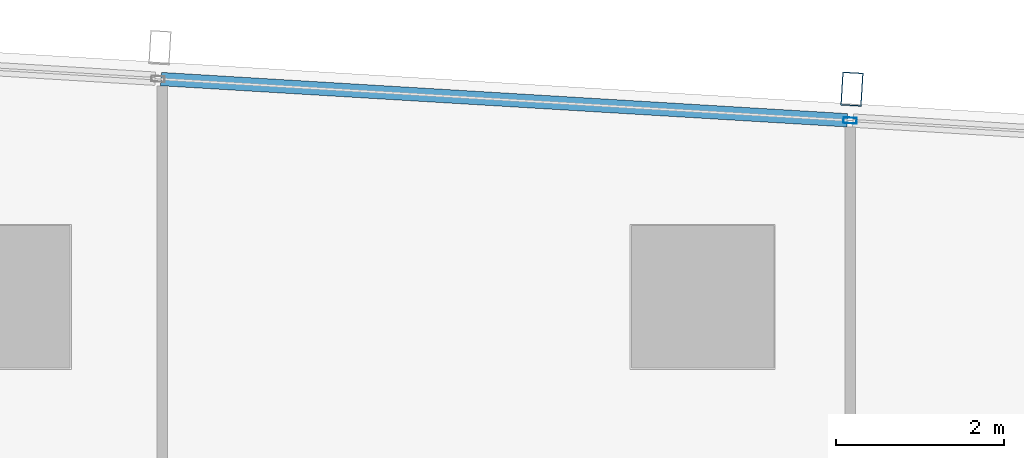
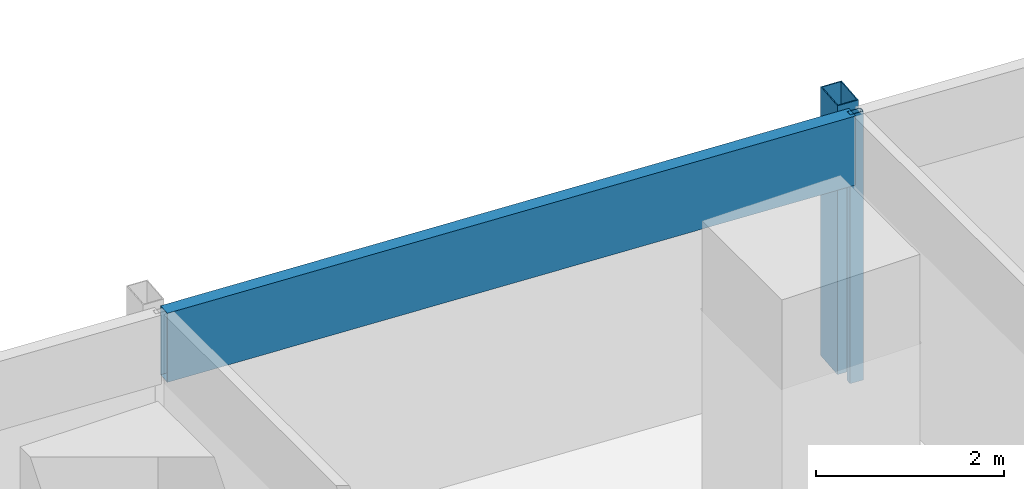
# One storey, part 21 of 40: 3 members, 1 element without a shape of its own.
"""IFC4 building model written with IfcOpenShell, lengths in metres."""

from ifc_helpers import new_model, si_unit, direction, frame, origin, origin_2d, place, context, subcontext, project, spatial, hollow_rectangle, extrude, material, material_profile, profile_set, type_object, element, aggregate, save


model = new_model("IFC4")

# Units and contexts
model_context = context("Model", 3, precision=1e-05, world=origin(), true_north=direction((0.0, 1.0)))
body_context = subcontext(model_context, "Body", "Model", "MODEL_VIEW")
ifc_project = project(units=[si_unit("LENGTHUNIT", "METRE"), si_unit("AREAUNIT", "SQUARE_METRE"), si_unit("VOLUMEUNIT", "CUBIC_METRE"), si_unit("PLANEANGLEUNIT", "RADIAN"), si_unit("MASSUNIT", "GRAM", prefix="KILO")], contexts=[model_context])

# Site, building, storey
site_placement = place(None, origin())
site = spatial("IfcSite", under=ifc_project, at=site_placement, CompositionType="ELEMENT")
building_placement = place(site_placement, origin())
building = spatial("IfcBuilding", under=site, at=building_placement, Name="Rekha Terrace Tower", CompositionType="ELEMENT")
storey_placement = place(building_placement, frame((0.0, 0.0, 99.050048828125)))
storey = spatial("IfcBuildingStorey", under=building, at=storey_placement, Name="L24", CompositionType="ELEMENT", Elevation=99.050048828125)

# Curtain wall, members
ifc_material_1 = material(Name="Aluminium framing", Category="aluminium")
curtain_wall_type = type_object("IfcCurtainWallType", Name="CW3 north unitised glazing", PredefinedType="USERDEFINED", material=ifc_material_1)
curtain_wall_placement = place(storey_placement, origin())
curtain_wall = element("IfcCurtainWall", 1, at=curtain_wall_placement, inside=storey, type_object=curtain_wall_type, Name="CW3 unitised curtain wall", ObjectType="UNITISED CURTAIN WALL", PredefinedType="USERDEFINED")
ifc_material_2 = material(Name="Steel S355 with fluorocarbon finish", Category="steel")
ifc_material_profile_1 = material_profile(ifc_material_2, hollow_rectangle(XDim=0.25, YDim=0.39990234375, WallThickness=0.012451171875, at=origin_2d()), Name="RHS400x250x12.5")
ifc_profile_set_1 = profile_set([ifc_material_profile_1], Name="Steel S355 with fluorocarbon finish")
member_type_1 = type_object("IfcMemberType", Name="BL1 facade blade RHS 400 x 250", PredefinedType="USERDEFINED", material=ifc_profile_set_1)
member_1_placement = place(storey_placement, frame((60.583740234375, 61.281005859375, 0.0), z_axis=(0.0, 0.0, 1.0), x_axis=(-0.998199123409, 0.059987582268, 0.0)))
member_1 = element("IfcMember", 2, at=member_1_placement, type_object=member_type_1, Name="Facade blade", ObjectType="FACADE BLADE", PredefinedType="USERDEFINED", context=body_context, shape_type="SweptSolid", body=[
    extrude(hollow_rectangle(XDim=0.25, YDim=0.39990234375, WallThickness=0.012451171875, at=origin_2d()), origin(), (0.0, 0.0, 1.0), 3.5),
])
ifc_material_3 = material(Name="Aluminium mullion section", Category="aluminium")
ifc_material_profile_2 = material_profile(ifc_material_3, hollow_rectangle(XDim=0.070068359375, YDim=0.159912109375, WallThickness=0.00390625, at=origin_2d()), Name="AL RHS 70x160")
ifc_profile_set_2 = profile_set([ifc_material_profile_2], Name="Aluminium mullion section")
member_type_2 = type_object("IfcMemberType", Name="CW3 mullion RHS 70 x 160", PredefinedType="MULLION", material=ifc_profile_set_2)
member_2_placement = place(storey_placement, frame((60.561279296875, 60.90673828125, 0.0), z_axis=(0.0, 0.0, 1.0), x_axis=(-0.059987926837, -0.998199102701, 0.0)))
member_2 = element("IfcMember", 3, at=member_2_placement, type_object=member_type_2, Name="CW3 mullion 2", PredefinedType="MULLION", context=body_context, shape_type="SweptSolid", body=[
    extrude(hollow_rectangle(XDim=0.070068359375, YDim=0.159912109375, WallThickness=0.00390625, at=origin_2d()), origin(), (0.0, 0.0, 1.0), 3.5),
])
ifc_material_4 = material(Name="Insulated aluminium spandrel box", Category="aluminium")
ifc_material_profile_3 = material_profile(ifc_material_4, hollow_rectangle(XDim=0.159912109375, YDim=0.89990234375, WallThickness=0.0029296875, at=origin_2d()), Name="AL SPANDREL BOX 160x900")
ifc_profile_set_3 = profile_set([ifc_material_profile_3], Name="Insulated aluminium spandrel box")
member_type_3 = type_object("IfcMemberType", Name="CW3 spandrel transom 160 x 900", PredefinedType="USERDEFINED", material=ifc_profile_set_3)
member_3_placement = place(storey_placement, frame((60.5263671875, 60.908935546875, 3.050048828125), z_axis=(-0.998199826332, 0.059975884418, 0.0), x_axis=(-0.059975884418, -0.998199826332, 0.0)))
member_3 = element("IfcMember", 4, at=member_3_placement, type_object=member_type_3, Name="CW3 spandrel transom 2", ObjectType="TRANSOM", PredefinedType="USERDEFINED", context=body_context, shape_type="SweptSolid", body=[
    extrude(hollow_rectangle(XDim=0.159912109375, YDim=0.89990234375, WallThickness=0.0029296875, at=origin_2d()), origin(), (0.0, 0.0, 1.0), 8.20654296875),
])
aggregate(curtain_wall, [member_2, member_3, member_1])

save(model, "model.ifc")
